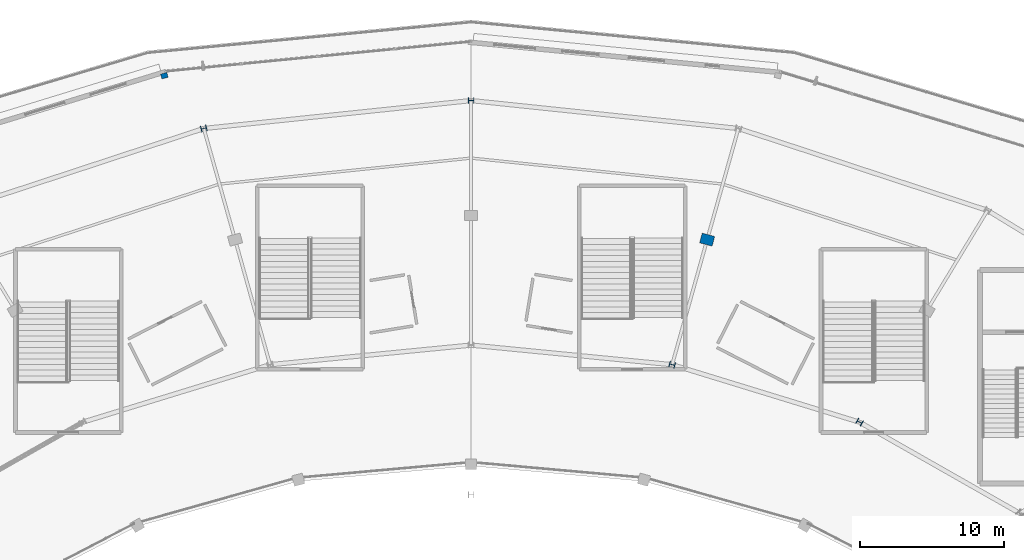
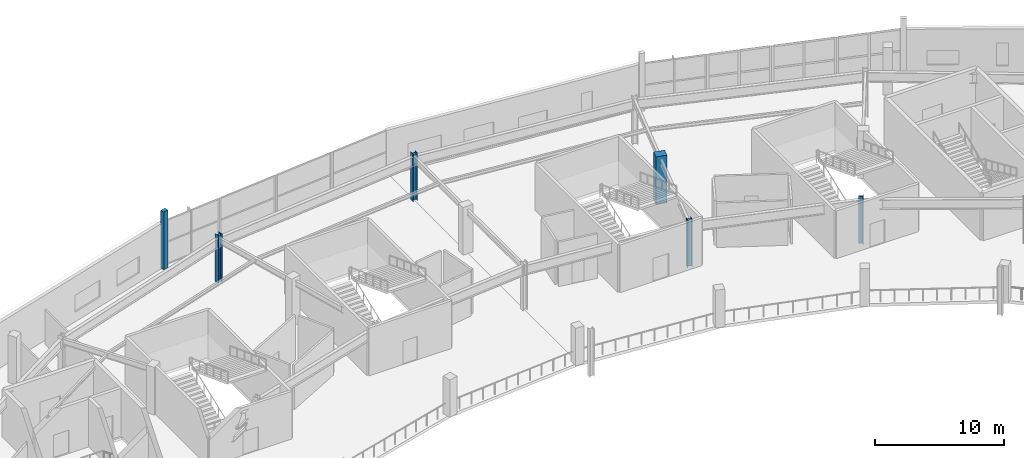
# One storey, part 10 of 123: 6 columns.
"""IFC4 building model written with IfcOpenShell, lengths in metres."""

from ifc_helpers import new_model, si_unit, direction, frame, origin, origin_2d, place, context, subcontext, project, spatial, rectangle, i_section, extrude, material, material_profile, profile_set, type_object, element, save


model = new_model("IFC4")

# Units and contexts
model_context = context("Model", 3, precision=1e-05, world=origin(), true_north=direction((0.0, 1.0)))
body_context = subcontext(model_context, "Body", "Model", "MODEL_VIEW")
ifc_project = project(units=[si_unit("LENGTHUNIT", "METRE"), si_unit("AREAUNIT", "SQUARE_METRE"), si_unit("VOLUMEUNIT", "CUBIC_METRE"), si_unit("PLANEANGLEUNIT", "RADIAN"), si_unit("MASSUNIT", "GRAM", prefix="KILO")], contexts=[model_context])

# Site, building, storey
site_placement = place(None, origin())
site = spatial("IfcSite", under=ifc_project, at=site_placement, CompositionType="ELEMENT")
building_placement = place(site_placement, origin())
building = spatial("IfcBuilding", under=site, at=building_placement, Name="Kalgoora Escarpment Arena", CompositionType="ELEMENT")
storey_placement = place(building_placement, frame((0.0, 0.0, 9.89990234375)))
storey = spatial("IfcBuildingStorey", under=building, at=storey_placement, Name="L02", CompositionType="ELEMENT", Elevation=9.89990234375)

# Columns
ifc_material_1 = material(Name="Structural steel Grade 350 (350 MPa)", Category="steel")
ifc_material_profile_1 = material_profile(ifc_material_1, i_section(OverallWidth=0.39990234375, OverallDepth=0.39990234375, WebThickness=0.01611328125, FlangeThickness=0.028076171875, at=origin_2d()))
ifc_profile_set_1 = profile_set([ifc_material_profile_1], Name="Structural steel Grade 350 (350 MPa)")
column_type_1 = type_object("IfcColumnType", Name="COL-COL-400WC212", PredefinedType="COLUMN", material=ifc_profile_set_1)
for number, where, z_axis, x_axis, name in (
    (1, (92.39990234375, 121.0, 0.0), (0.0, 0.0, 1.0), (0.0, 1.0, 0.0), "L02 structural column COL-RCONC2-R07"),
    (2, (73.81689453125, 119.057861328125, 0.0), (0.0, 0.0, 1.0), (-0.258819045103, 0.965925826289, 0.0), "L02 structural column COL-RCONC2-R08"),
):
    element("IfcColumn", number, at=place(storey_placement, frame(where, z_axis=z_axis, x_axis=x_axis)), inside=storey, type_object=column_type_1, Name=name, PredefinedType="COLUMN", context=body_context, shape_type="SweptSolid", body=[
        extrude(i_section(OverallWidth=0.39990234375, OverallDepth=0.39990234375, WebThickness=0.01611328125, FlangeThickness=0.028076171875, at=origin_2d()), origin(), (0.0, 0.0, 1.0), 4.5),
    ])
ifc_material_2 = material(Name="Structural steel Grade 350 (350 MPa)", Category="steel")
ifc_material_profile_2 = material_profile(ifc_material_2, i_section(OverallWidth=0.39990234375, OverallDepth=0.39990234375, WebThickness=0.01806640625, FlangeThickness=0.031982421875, at=origin_2d()))
ifc_profile_set_2 = profile_set([ifc_material_profile_2], Name="Structural steel Grade 350 (350 MPa)")
column_type_2 = type_object("IfcColumnType", Name="COL-COL-400WC270", PredefinedType="COLUMN", material=ifc_profile_set_2)
for number, where, z_axis, x_axis, name in (
    (3, (119.39990234375, 98.64111328125, 0.0), (0.0, 0.0, 1.0), (0.5, 0.866025403784, 0.0), "L02 structural column COL-RMAIN-R05"),
    (4, (106.376220703125, 102.636962890625, 0.0), (0.0, 0.0, 1.0), (0.258819045103, 0.965925826289, 0.0), "L02 structural column COL-RMAIN-R06"),
):
    element("IfcColumn", number, at=place(storey_placement, frame(where, z_axis=z_axis, x_axis=x_axis)), inside=storey, type_object=column_type_2, Name=name, PredefinedType="COLUMN", context=body_context, shape_type="SweptSolid", body=[
        extrude(i_section(OverallWidth=0.39990234375, OverallDepth=0.39990234375, WebThickness=0.01806640625, FlangeThickness=0.031982421875, at=origin_2d()), origin(), (0.0, 0.0, 1.0), 4.5),
    ])
ifc_material_3 = material(Name="Concrete N50 (fc' 50 MPa)", Category="concrete")
ifc_material_profile_3 = material_profile(ifc_material_3, rectangle(XDim=0.699951171875, YDim=0.89990234375, at=origin_2d()))
ifc_profile_set_3 = profile_set([ifc_material_profile_3], Name="Concrete N50 (fc' 50 MPa)")
column_type_3 = type_object("IfcColumnType", Name="COL-COL-RC900x700", PredefinedType="COLUMN", material=ifc_profile_set_3)
column_1_placement = place(storey_placement, frame((108.80908203125, 111.330322265625, 0.0), z_axis=(0.0, 0.0, 1.0), x_axis=(0.258819045103, 0.965925826289, 0.0)))
element("IfcColumn", 5, at=column_1_placement, inside=storey, type_object=column_type_3, Name="L02 structural column COL-RCONC1-R06", PredefinedType="COLUMN", context=body_context, shape_type="SweptSolid", body=[
    extrude(rectangle(XDim=0.699951171875, YDim=0.89990234375, at=origin_2d()), origin(), (0.0, 0.0, 1.0), 4.5),
])
ifc_material_4 = material(Name="Precast concrete N50 (fc' 50 MPa)", Category="concrete")
ifc_material_profile_4 = material_profile(ifc_material_4, rectangle(XDim=0.35009765625, YDim=0.449951171875, at=origin_2d()))
ifc_profile_set_4 = profile_set([ifc_material_profile_4], Name="Precast concrete N50 (fc' 50 MPa)")
column_type_4 = type_object("IfcColumnType", Name="COL-PIL-PC-PILASTER-450x350", PredefinedType="PILASTER", material=ifc_profile_set_4)
column_2_placement = place(storey_placement, frame((71.072998046875, 122.72802734375, 0.0), z_axis=(0.0, 0.0, 1.0), x_axis=(-0.258819045103, 0.965925826289, 0.0)))
element("IfcColumn", 6, at=column_2_placement, inside=storey, type_object=column_type_4, Name="L02 fluted pilaster PIL-053", PredefinedType="PILASTER", context=body_context, shape_type="SweptSolid", body=[
    extrude(rectangle(XDim=0.35009765625, YDim=0.449951171875, at=origin_2d()), origin(), (0.0, 0.0, 1.0), 5.4501953125),
])

save(model, "model.ifc")
